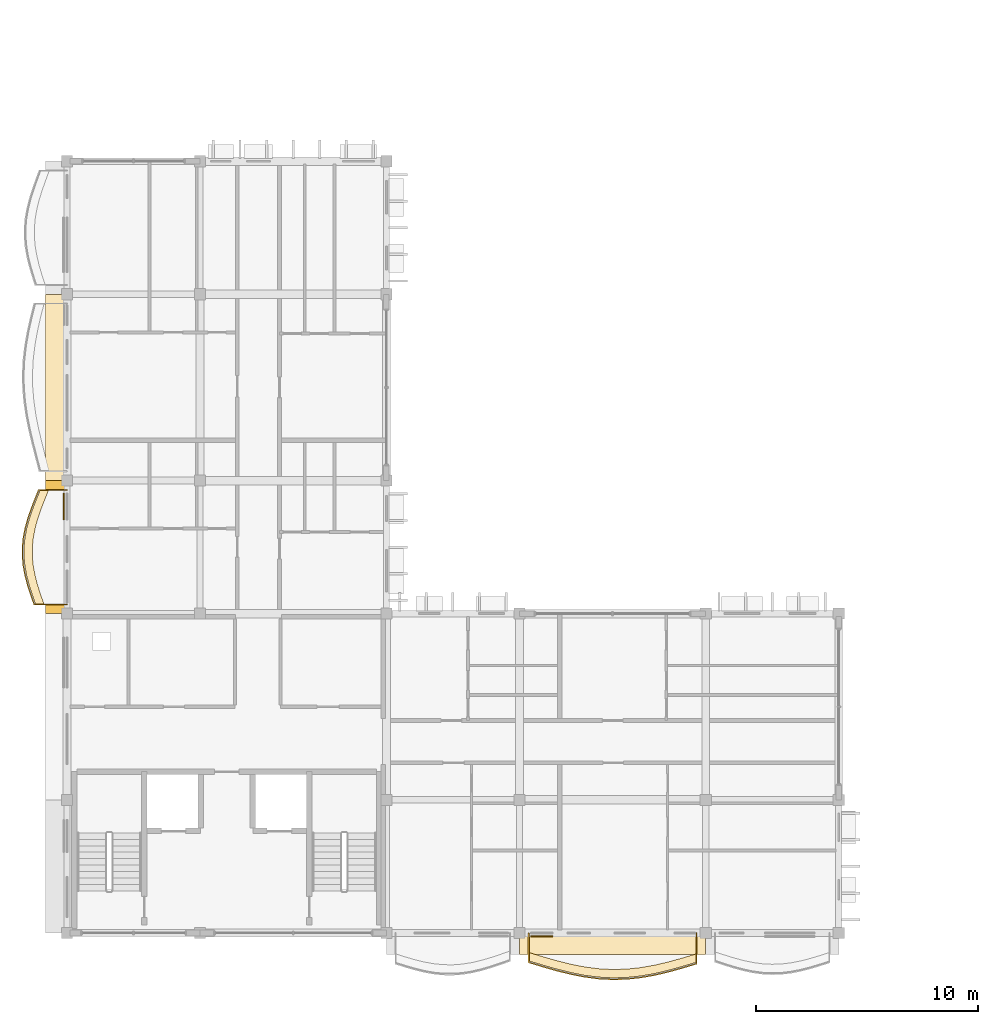
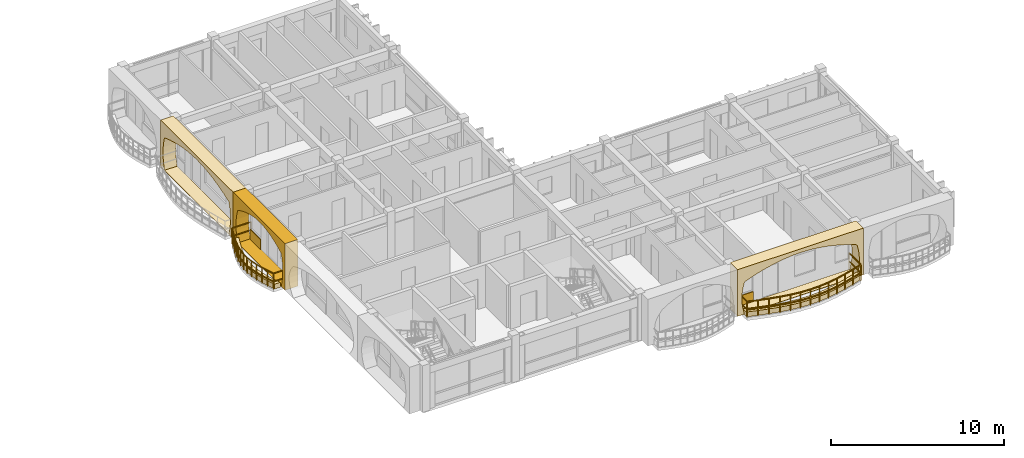
# One storey, part 39 of 54: 7 coverings, 2 railings.
"""IFC4 building model written with IfcOpenShell, lengths in metres."""

from ifc_helpers import new_model, si_unit, direction, frame, origin, origin_2d, place, context, subcontext, project, spatial, polyline, rectangle, outline, extrude, material, layer, layer_set, type_object, element, save


model = new_model("IFC4")

# Units and contexts
model_context = context("Model", 3, precision=1e-05, world=origin(), true_north=direction((0.0, 1.0)))
body_context = subcontext(model_context, "Body", "Model", "MODEL_VIEW")
ifc_project = project(units=[si_unit("LENGTHUNIT", "METRE"), si_unit("AREAUNIT", "SQUARE_METRE"), si_unit("VOLUMEUNIT", "CUBIC_METRE"), si_unit("PLANEANGLEUNIT", "RADIAN"), si_unit("MASSUNIT", "GRAM", prefix="KILO"), si_unit("THERMODYNAMICTEMPERATUREUNIT", "KELVIN")], contexts=[model_context])

# Site, building, storey
site_placement = place(None, origin())
site = spatial("IfcSite", under=ifc_project, at=site_placement, CompositionType="ELEMENT")
building_placement = place(site_placement, origin())
building = spatial("IfcBuilding", under=site, at=building_placement, Name="Thalorik Housing Commons", CompositionType="ELEMENT")
storey_placement = place(building_placement, frame((0.0, 0.0, 31.199951171875)))
storey = spatial("IfcBuildingStorey", under=building, at=storey_placement, Name="L09", CompositionType="ELEMENT", Elevation=31.199951171875)

# Coverings
ifc_material_1 = material(Name="Cobalt blue glazed ceramic facade tile panel", Category="masonry")
ifc_layer_1 = layer(ifc_material_1, 0.06005859375, Name="Cobalt blue glazed ceramic facade tile panel", Category="masonry")
ifc_layer_set_1 = layer_set([ifc_layer_1], Name="Cobalt blue glazed ceramic facade tile panel")
covering_type_1 = type_object("IfcCoveringType", Name="ARC-CLD-BLU-60", PredefinedType="CLADDING", material=ifc_layer_set_1)
covering_1_placement = place(storey_placement, frame((8.25244140625, 27.625, 0.05029296875), z_axis=(0.0, 0.0, 1.0), x_axis=(0.0, -1.0, 0.0)))
element("IfcCovering", 1, at=covering_1_placement, inside=storey, type_object=covering_type_1, Name="L09 De Stijl Recessed Window Spandrel 4383", PredefinedType="CLADDING", context=body_context, shape_type="SweptSolid", body=[
    extrude(rectangle(XDim=1.199951171875, YDim=0.06005859375, at=origin_2d()), origin(), (0.0, 0.0, 1.0), 0.699951171875),
])
covering_2_placement = place(storey_placement, frame((29.804931640625, 8.25244140625, 0.05029296875), z_axis=(0.0, 0.0, 1.0), x_axis=(1.0, 0.0, 0.0)))
element("IfcCovering", 2, at=covering_2_placement, inside=storey, type_object=covering_type_1, Name="L09 De Stijl Recessed Window Spandrel 4391", PredefinedType="CLADDING", context=body_context, shape_type="SweptSolid", body=[
    extrude(rectangle(XDim=1.0, YDim=0.06005859375, at=origin_2d()), origin(), (0.0, 0.0, 1.0), 0.699951171875),
])
ifc_material_2 = material(Name="Precast concrete C40/50", Category="concrete")
ifc_layer_2 = layer(ifc_material_2, 0.85009765625, Name="Precast concrete C40/50", Category="concrete")
ifc_layer_set_2 = layer_set([ifc_layer_2], Name="Precast concrete C40/50")
covering_type_2 = type_object("IfcCoveringType", Name="ARC-CLD-CUSH-850", PredefinedType="CLADDING", material=ifc_layer_set_2)
covering_3_placement = place(storey_placement, frame((7.862548828125, 33.0, 0.0), z_axis=(0.0, 0.0, 1.0), x_axis=(0.0, -1.0, 0.0)))
element("IfcCovering", 3, at=covering_3_placement, inside=storey, type_object=covering_type_2, Name="L09 White Precast Curved Cushion Bay Frame 4380", PredefinedType="CLADDING", context=body_context, shape_type="SweptSolid", body=[
    extrude(outline(polyline([(-4.199951171875, 0.0), (4.199951171875, 0.0), (4.199951171875, 3.300048828125), (-4.199951171875, 3.300048828125), (-4.199951171875, 0.0)]), holes=[polyline([(3.695068359375, 0.02490234375), (3.801513671875, 0.407470703125), (3.865478515625, 0.7900390625), (3.886962890625, 1.172607421875), (3.865478515625, 1.554931640625), (3.801513671875, 1.9375), (3.695068359375, 2.320068359375), (3.074951171875, 2.539306640625), (2.455078125, 2.711181640625), (1.8349609375, 2.8505859375), (1.215087890625, 2.954345703125), (0.594970703125, 3.018310546875), (-0.02490234375, 3.0400390625), (-0.64501953125, 3.018310546875), (-1.264892578125, 2.954345703125), (-1.885009765625, 2.8505859375), (-2.5048828125, 2.711181640625), (-3.125, 2.539306640625), (-3.7451171875, 2.320068359375), (-3.841064453125, 1.9375), (-3.898681640625, 1.554931640625), (-3.91796875, 1.172607421875), (-3.898681640625, 0.7900390625), (-3.841064453125, 0.407470703125), (-3.7451171875, 0.02490234375), (3.695068359375, 0.02490234375)])]), frame((0.0, 0.425048828125, 0.0), z_axis=(0.0, -1.0, 0.0), x_axis=(1.0, 0.0, 0.0)), (0.0, 0.0, 1.0), 0.85009765625),
])
covering_4_placement = place(storey_placement, frame((7.862548828125, 25.800048828125, 0.0), z_axis=(0.0, 0.0, 1.0), x_axis=(0.0, -1.0, 0.0)))
element("IfcCovering", 4, at=covering_4_placement, inside=storey, type_object=covering_type_2, Name="L09 White Precast Curved Cushion Bay Frame 4382", PredefinedType="CLADDING", context=body_context, shape_type="SweptSolid", body=[
    extrude(outline(polyline([(-3.0, 0.0), (3.0, 0.0), (3.0, 3.300048828125), (-3.0, 3.300048828125), (-3.0, 0.0)]), holes=[polyline([(2.56494140625, 0.02490234375), (2.65673828125, 0.410888671875), (2.7119140625, 0.796630859375), (2.730224609375, 1.1826171875), (2.7119140625, 1.568359375), (2.65673828125, 1.9541015625), (2.56494140625, 2.340087890625), (2.14501953125, 2.552978515625), (1.72509765625, 2.720458984375), (1.304931640625, 2.85595703125), (0.885009765625, 2.956787109375), (0.465087890625, 3.01904296875), (0.044921875, 3.0400390625), (-0.375, 3.01904296875), (-0.794921875, 2.956787109375), (-1.215087890625, 2.85595703125), (-1.635009765625, 2.720458984375), (-2.054931640625, 2.552978515625), (-2.47509765625, 2.340087890625), (-2.585693359375, 1.9541015625), (-2.65234375, 1.568359375), (-2.674560546875, 1.1826171875), (-2.65234375, 0.796630859375), (-2.585693359375, 0.410888671875), (-2.47509765625, 0.02490234375), (2.56494140625, 0.02490234375)])]), frame((0.0, 0.425048828125, 0.0), z_axis=(0.0, -1.0, 0.0), x_axis=(1.0, 0.0, 0.0)), (0.0, 0.0, 1.0), 0.85009765625),
])
covering_5_placement = place(storey_placement, frame((33.0, 7.862548828125, 0.0), z_axis=(0.0, 0.0, 1.0), x_axis=(1.0, 0.0, 0.0)))
element("IfcCovering", 5, at=covering_5_placement, inside=storey, type_object=covering_type_2, Name="L09 White Precast Curved Cushion Bay Frame 4390", PredefinedType="CLADDING", context=body_context, shape_type="SweptSolid", body=[
    extrude(outline(polyline([(-4.199951171875, 0.0), (4.199951171875, 0.0), (4.199951171875, 3.300048828125), (-4.199951171875, 3.300048828125), (-4.199951171875, 0.0)]), holes=[polyline([(3.77001953125, 0.02490234375), (3.86083984375, 0.399169921875), (3.915283203125, 0.773193359375), (3.933349609375, 1.1474609375), (3.915283203125, 1.521728515625), (3.86083984375, 1.895751953125), (3.77001953125, 2.27001953125), (3.143798828125, 2.50439453125), (2.517578125, 2.6884765625), (1.89111328125, 2.837646484375), (1.264892578125, 2.948486328125), (0.638671875, 3.016845703125), (0.012451171875, 3.0400390625), (-0.61376953125, 3.016845703125), (-1.239990234375, 2.948486328125), (-1.8662109375, 2.837646484375), (-2.492431640625, 2.6884765625), (-3.11865234375, 2.50439453125), (-3.7451171875, 2.27001953125), (-3.841064453125, 1.895751953125), (-3.898681640625, 1.521728515625), (-3.91796875, 1.1474609375), (-3.898681640625, 0.773193359375), (-3.841064453125, 0.399169921875), (-3.7451171875, 0.02490234375), (3.77001953125, 0.02490234375)])]), frame((0.0, 0.425048828125, 0.0), z_axis=(0.0, -1.0, 0.0), x_axis=(1.0, 0.0, 0.0)), (0.0, 0.0, 1.0), 0.85009765625),
])
ifc_material_3 = material(Name="Planted vegetated substrate and terracotta trough", Category="masonry")
ifc_layer_3 = layer(ifc_material_3, 0.340087890625, Name="Planted vegetated substrate and terracotta trough", Category="masonry")
ifc_layer_set_3 = layer_set([ifc_layer_3], Name="Planted vegetated substrate and terracotta trough")
covering_type_3 = type_object("IfcCoveringType", Name="ARC-COV-PLANTER", PredefinedType="USERDEFINED", material=ifc_layer_set_3)
covering_6_placement = place(storey_placement, origin())
element("IfcCovering", 6, at=covering_6_placement, inside=storey, type_object=covering_type_3, Name="L09 Balcony Slab-Edge Planted Trough 5633", ObjectType="PLANTER", PredefinedType="USERDEFINED", context=body_context, shape_type="SweptSolid", body=[
    extrude(outline(polyline([(7.19140625, 28.3798828125), (7.01708984375, 27.949951171875), (6.850830078125, 27.52001953125), (6.70361328125, 27.090087890625), (6.58447265625, 26.659912109375), (6.5009765625, 26.22998046875), (6.458251953125, 25.800048828125), (6.458251953125, 25.3701171875), (6.500244140625, 24.93994140625), (6.580810546875, 24.510009765625), (6.694091796875, 24.080078125), (6.831787109375, 23.64990234375), (6.98388671875, 23.219970703125), (7.364013671875, 23.219970703125), (7.211669921875, 23.64990234375), (7.07421875, 24.080078125), (6.9609375, 24.510009765625), (6.880126953125, 24.93994140625), (6.838134765625, 25.3701171875), (6.838134765625, 25.800048828125), (6.881103515625, 26.22998046875), (6.964599609375, 26.659912109375), (7.08349609375, 27.090087890625), (7.23095703125, 27.52001953125), (7.397216796875, 27.949951171875), (7.571533203125, 28.3798828125), (7.19140625, 28.3798828125)])), origin(), (0.0, 0.0, 1.0), 0.340087890625),
])
covering_7_placement = place(storey_placement, origin())
element("IfcCovering", 7, at=covering_7_placement, inside=storey, type_object=covering_type_3, Name="L09 Balcony Slab-Edge Planted Trough 5637", ObjectType="PLANTER", PredefinedType="USERDEFINED", context=body_context, shape_type="SweptSolid", body=[
    extrude(outline(polyline([(29.219970703125, 7.140625), (29.85009765625, 6.950439453125), (30.47998046875, 6.770263671875), (31.110107421875, 6.61279296875), (31.739990234375, 6.489013671875), (32.3701171875, 6.40771484375), (33.0, 6.3740234375), (33.6298828125, 6.390869140625), (34.260009765625, 6.456787109375), (34.889892578125, 6.567626953125), (35.52001953125, 6.71533203125), (36.14990234375, 6.889892578125), (36.780029296875, 7.079345703125), (36.780029296875, 7.459228515625), (36.14990234375, 7.27001953125), (35.52001953125, 7.095458984375), (34.889892578125, 6.947509765625), (34.260009765625, 6.8369140625), (33.6298828125, 6.77099609375), (33.0, 6.754150390625), (32.3701171875, 6.78759765625), (31.739990234375, 6.869140625), (31.110107421875, 6.992919921875), (30.47998046875, 7.150390625), (29.85009765625, 7.330322265625), (29.219970703125, 7.520751953125), (29.219970703125, 7.140625)])), origin(), (0.0, 0.0, 1.0), 0.340087890625),
])

# Railings
ifc_material_4 = material(Name="Steel S355", Category="steel")
railing_type = type_object("IfcRailingType", Name="ARC-RL-BAL-115", PredefinedType="BALUSTRADE", material=ifc_material_4)
railing_1_placement = place(storey_placement, frame((8.39990234375, 28.3798828125, 0.0)))
element("IfcRailing", 8, at=railing_1_placement, inside=storey, type_object=railing_type, Name="L09 Cushion Balcony Guardrail 317", PredefinedType="BALUSTRADE", context=body_context, shape_type="SweptSolid", body=[
    extrude(rectangle(XDim=0.050048828125, YDim=0.050048828125, at=origin_2d()), frame((0.0, 0.0, 1.125), z_axis=(-1.0, 0.0, 0.0), x_axis=(0.0, -1.0, 0.0)), (0.0, 0.0, 1.0), 1.2783203125),
    extrude(rectangle(XDim=0.050048828125, YDim=0.050048828125, at=origin_2d()), frame((0.0, 0.0, 0.5498046875), z_axis=(-1.0, 0.0, 0.0), x_axis=(0.0, -1.0, 0.0)), (0.0, 0.0, 1.0), 1.2783203125),
    extrude(rectangle(XDim=0.050048828125, YDim=0.050048828125, at=origin_2d()), frame((-1.2783203125, 0.0, 1.125), z_axis=(-0.376193572468, -0.926541092469, 0.0), x_axis=(0.926541092469, -0.376193572468, 0.0)), (0.0, 0.0, 1.0), 0.464111328125),
    extrude(rectangle(XDim=0.050048828125, YDim=0.050048828125, at=origin_2d()), frame((-1.2783203125, 0.0, 0.5498046875), z_axis=(-0.376193572468, -0.926541092469, 0.0), x_axis=(0.926541092469, -0.376193572468, 0.0)), (0.0, 0.0, 1.0), 0.464111328125),
    extrude(rectangle(XDim=0.050048828125, YDim=0.050048828125, at=origin_2d()), frame((-1.452880859375, -0.429931640625, 1.125), z_axis=(-0.360221185756, -0.9328669237, 0.0), x_axis=(0.9328669237, -0.360221185756, 0.0)), (0.0, 0.0, 1.0), 0.4609375),
    extrude(rectangle(XDim=0.050048828125, YDim=0.050048828125, at=origin_2d()), frame((-1.452880859375, -0.429931640625, 0.5498046875), z_axis=(-0.360221185756, -0.9328669237, 0.0), x_axis=(0.9328669237, -0.360221185756, 0.0)), (0.0, 0.0, 1.0), 0.4609375),
    extrude(rectangle(XDim=0.050048828125, YDim=0.050048828125, at=origin_2d()), frame((-1.618896484375, -0.85986328125, 1.125), z_axis=(-0.324434183315, -0.945908272877, 0.0), x_axis=(0.945908272877, -0.324434183315, 0.0)), (0.0, 0.0, 1.0), 0.45458984375),
    extrude(rectangle(XDim=0.050048828125, YDim=0.050048828125, at=origin_2d()), frame((-1.618896484375, -0.85986328125, 0.5498046875), z_axis=(-0.324434183315, -0.945908272877, 0.0), x_axis=(0.945908272877, -0.324434183315, 0.0)), (0.0, 0.0, 1.0), 0.45458984375),
    extrude(rectangle(XDim=0.050048828125, YDim=0.050048828125, at=origin_2d()), frame((-1.766357421875, -1.289794921875, 1.125), z_axis=(-0.26691034385, -0.963721364475, 0.0), x_axis=(0.963721364475, -0.26691034385, 0.0)), (0.0, 0.0, 1.0), 0.4462890625),
    extrude(rectangle(XDim=0.050048828125, YDim=0.050048828125, at=origin_2d()), frame((-1.766357421875, -1.289794921875, 0.5498046875), z_axis=(-0.26691034385, -0.963721364475, 0.0), x_axis=(0.963721364475, -0.26691034385, 0.0)), (0.0, 0.0, 1.0), 0.4462890625),
    extrude(rectangle(XDim=0.050048828125, YDim=0.050048828125, at=origin_2d()), frame((-1.885498046875, -1.719970703125, 1.125), z_axis=(-0.190645847629, -0.981658882088, 0.0), x_axis=(0.981658882088, -0.190645847629, 0.0)), (0.0, 0.0, 1.0), 0.43798828125),
    extrude(rectangle(XDim=0.050048828125, YDim=0.050048828125, at=origin_2d()), frame((-1.885498046875, -1.719970703125, 0.5498046875), z_axis=(-0.190645847629, -0.981658882088, 0.0), x_axis=(0.981658882088, -0.190645847629, 0.0)), (0.0, 0.0, 1.0), 0.43798828125),
    extrude(rectangle(XDim=0.050048828125, YDim=0.050048828125, at=origin_2d()), frame((-1.968994140625, -2.14990234375, 1.125), z_axis=(-0.098888270863, -0.995098542801, 0.0), x_axis=(0.995098542801, -0.098888270863, 0.0)), (0.0, 0.0, 1.0), 0.43212890625),
    extrude(rectangle(XDim=0.050048828125, YDim=0.050048828125, at=origin_2d()), frame((-1.968994140625, -2.14990234375, 0.5498046875), z_axis=(-0.098888270863, -0.995098542801, 0.0), x_axis=(0.995098542801, -0.098888270863, 0.0)), (0.0, 0.0, 1.0), 0.43212890625),
    extrude(rectangle(XDim=0.050048828125, YDim=0.050048828125, at=origin_2d()), frame((-2.01171875, -2.579833984375, 1.125), z_axis=(0.0, -1.0, 0.0), x_axis=(1.0, 0.0, 0.0)), (0.0, 0.0, 1.0), 0.429931640625),
    extrude(rectangle(XDim=0.050048828125, YDim=0.050048828125, at=origin_2d()), frame((-2.01171875, -2.579833984375, 0.5498046875), z_axis=(0.0, -1.0, 0.0), x_axis=(1.0, 0.0, 0.0)), (0.0, 0.0, 1.0), 0.429931640625),
    extrude(rectangle(XDim=0.050048828125, YDim=0.050048828125, at=origin_2d()), frame((-2.01171875, -3.009765625, 1.125), z_axis=(0.09715455208, -0.995269306776, 0.0), x_axis=(0.995269306776, 0.09715455208, 0.0)), (0.0, 0.0, 1.0), 0.43212890625),
    extrude(rectangle(XDim=0.050048828125, YDim=0.050048828125, at=origin_2d()), frame((-2.01171875, -3.009765625, 0.5498046875), z_axis=(0.09715455208, -0.995269306776, 0.0), x_axis=(0.995269306776, 0.09715455208, 0.0)), (0.0, 0.0, 1.0), 0.43212890625),
    extrude(rectangle(XDim=0.050048828125, YDim=0.050048828125, at=origin_2d()), frame((-1.9697265625, -3.43994140625, 1.125), z_axis=(0.184726561835, -0.982789955867, 0.0), x_axis=(0.982789955867, 0.184726561835, 0.0)), (0.0, 0.0, 1.0), 0.4375),
    extrude(rectangle(XDim=0.050048828125, YDim=0.050048828125, at=origin_2d()), frame((-1.9697265625, -3.43994140625, 0.5498046875), z_axis=(0.184726561835, -0.982789955867, 0.0), x_axis=(0.982789955867, 0.184726561835, 0.0)), (0.0, 0.0, 1.0), 0.4375),
    extrude(rectangle(XDim=0.050048828125, YDim=0.050048828125, at=origin_2d()), frame((-1.888916015625, -3.869873046875, 1.125), z_axis=(0.254277029817, -0.967131424423, 0.0), x_axis=(0.967131424423, 0.254277029817, 0.0)), (0.0, 0.0, 1.0), 0.444580078125),
    extrude(rectangle(XDim=0.050048828125, YDim=0.050048828125, at=origin_2d()), frame((-1.888916015625, -3.869873046875, 0.5498046875), z_axis=(0.254277029817, -0.967131424423, 0.0), x_axis=(0.967131424423, 0.254277029817, 0.0)), (0.0, 0.0, 1.0), 0.444580078125),
    extrude(rectangle(XDim=0.050048828125, YDim=0.050048828125, at=origin_2d()), frame((-1.77587890625, -4.2998046875, 1.125), z_axis=(0.304854176228, -0.952399039918, 0.0), x_axis=(0.952399039918, 0.304854176228, 0.0)), (0.0, 0.0, 1.0), 0.45166015625),
    extrude(rectangle(XDim=0.050048828125, YDim=0.050048828125, at=origin_2d()), frame((-1.77587890625, -4.2998046875, 0.5498046875), z_axis=(0.304854176228, -0.952399039918, 0.0), x_axis=(0.952399039918, 0.304854176228, 0.0)), (0.0, 0.0, 1.0), 0.45166015625),
    extrude(rectangle(XDim=0.050048828125, YDim=0.050048828125, at=origin_2d()), frame((-1.63818359375, -4.72998046875, 1.125), z_axis=(0.333995761205, -0.942574576093, 0.0), x_axis=(0.942574576093, 0.333995761205, 0.0)), (0.0, 0.0, 1.0), 0.4560546875),
    extrude(rectangle(XDim=0.050048828125, YDim=0.050048828125, at=origin_2d()), frame((-1.63818359375, -4.72998046875, 0.5498046875), z_axis=(0.333995761205, -0.942574576093, 0.0), x_axis=(0.942574576093, 0.333995761205, 0.0)), (0.0, 0.0, 1.0), 0.4560546875),
    extrude(rectangle(XDim=0.050048828125, YDim=0.050048828125, at=origin_2d()), frame((-1.48583984375, -5.159912109375, 1.125), z_axis=(1.0, 0.0, 0.0), x_axis=(0.0, 1.0, 0.0)), (0.0, 0.0, 1.0), 1.48583984375),
    extrude(rectangle(XDim=0.050048828125, YDim=0.050048828125, at=origin_2d()), frame((-1.48583984375, -5.159912109375, 0.5498046875), z_axis=(1.0, 0.0, 0.0), x_axis=(0.0, 1.0, 0.0)), (0.0, 0.0, 1.0), 1.48583984375),
    extrude(rectangle(XDim=0.0419921875, YDim=0.0419921875, at=origin_2d()), origin(), (0.0, 0.0, 1.0), 1.099853515625),
    extrude(rectangle(XDim=0.0419921875, YDim=0.0419921875, at=origin_2d()), frame((-1.2783203125, 0.0, 0.0)), (0.0, 0.0, 1.0), 1.099853515625),
    extrude(rectangle(XDim=0.0419921875, YDim=0.0419921875, at=origin_2d()), frame((-1.452880859375, -0.429931640625, 0.0)), (0.0, 0.0, 1.0), 1.099853515625),
    extrude(rectangle(XDim=0.0419921875, YDim=0.0419921875, at=origin_2d()), frame((-1.618896484375, -0.85986328125, 0.0)), (0.0, 0.0, 1.0), 1.099853515625),
    extrude(rectangle(XDim=0.0419921875, YDim=0.0419921875, at=origin_2d()), frame((-1.766357421875, -1.289794921875, 0.0)), (0.0, 0.0, 1.0), 1.099853515625),
    extrude(rectangle(XDim=0.0419921875, YDim=0.0419921875, at=origin_2d()), frame((-1.885498046875, -1.719970703125, 0.0)), (0.0, 0.0, 1.0), 1.099853515625),
    extrude(rectangle(XDim=0.0419921875, YDim=0.0419921875, at=origin_2d()), frame((-1.968994140625, -2.14990234375, 0.0)), (0.0, 0.0, 1.0), 1.099853515625),
    extrude(rectangle(XDim=0.0419921875, YDim=0.0419921875, at=origin_2d()), frame((-2.01171875, -2.579833984375, 0.0)), (0.0, 0.0, 1.0), 1.099853515625),
    extrude(rectangle(XDim=0.0419921875, YDim=0.0419921875, at=origin_2d()), frame((-2.01171875, -3.009765625, 0.0)), (0.0, 0.0, 1.0), 1.099853515625),
    extrude(rectangle(XDim=0.0419921875, YDim=0.0419921875, at=origin_2d()), frame((-1.9697265625, -3.43994140625, 0.0)), (0.0, 0.0, 1.0), 1.099853515625),
    extrude(rectangle(XDim=0.0419921875, YDim=0.0419921875, at=origin_2d()), frame((-1.888916015625, -3.869873046875, 0.0)), (0.0, 0.0, 1.0), 1.099853515625),
    extrude(rectangle(XDim=0.0419921875, YDim=0.0419921875, at=origin_2d()), frame((-1.77587890625, -4.2998046875, 0.0)), (0.0, 0.0, 1.0), 1.099853515625),
    extrude(rectangle(XDim=0.0419921875, YDim=0.0419921875, at=origin_2d()), frame((-1.63818359375, -4.72998046875, 0.0)), (0.0, 0.0, 1.0), 1.099853515625),
    extrude(rectangle(XDim=0.0419921875, YDim=0.0419921875, at=origin_2d()), frame((-1.48583984375, -5.159912109375, 0.0)), (0.0, 0.0, 1.0), 1.099853515625),
    extrude(rectangle(XDim=0.0419921875, YDim=0.0419921875, at=origin_2d()), frame((0.0, -5.159912109375, 0.0)), (0.0, 0.0, 1.0), 1.099853515625),
])
railing_2_placement = place(storey_placement, frame((29.219970703125, 8.39990234375, 0.0)))
element("IfcRailing", 9, at=railing_2_placement, inside=storey, type_object=railing_type, Name="L09 Cushion Balcony Guardrail 321", PredefinedType="BALUSTRADE", context=body_context, shape_type="SweptSolid", body=[
    extrude(rectangle(XDim=0.050048828125, YDim=0.050048828125, at=origin_2d()), frame((0.0, 0.0, 1.125), z_axis=(0.0, -1.0, 0.0), x_axis=(1.0, 0.0, 0.0)), (0.0, 0.0, 1.0), 1.3291015625),
    extrude(rectangle(XDim=0.050048828125, YDim=0.050048828125, at=origin_2d()), frame((0.0, 0.0, 0.5498046875), z_axis=(0.0, -1.0, 0.0), x_axis=(1.0, 0.0, 0.0)), (0.0, 0.0, 1.0), 1.3291015625),
    extrude(rectangle(XDim=0.050048828125, YDim=0.050048828125, at=origin_2d()), frame((0.0, -1.3291015625, 1.125), z_axis=(0.957242481646, -0.289286763148, 0.0), x_axis=(0.289286763148, 0.957242481646, 0.0)), (0.0, 0.0, 1.0), 0.658203125),
    extrude(rectangle(XDim=0.050048828125, YDim=0.050048828125, at=origin_2d()), frame((0.0, -1.3291015625, 0.5498046875), z_axis=(0.957242481646, -0.289286763148, 0.0), x_axis=(0.289286763148, 0.957242481646, 0.0)), (0.0, 0.0, 1.0), 0.658203125),
    extrude(rectangle(XDim=0.050048828125, YDim=0.050048828125, at=origin_2d()), frame((0.630126953125, -1.51953125, 1.125), z_axis=(0.961439528486, -0.275016423265, 0.0), x_axis=(0.275016423265, 0.961439528486, 0.0)), (0.0, 0.0, 1.0), 0.655029296875),
    extrude(rectangle(XDim=0.050048828125, YDim=0.050048828125, at=origin_2d()), frame((0.630126953125, -1.51953125, 0.5498046875), z_axis=(0.961439528486, -0.275016423265, 0.0), x_axis=(0.275016423265, 0.961439528486, 0.0)), (0.0, 0.0, 1.0), 0.655029296875),
    extrude(rectangle(XDim=0.050048828125, YDim=0.050048828125, at=origin_2d()), frame((1.260009765625, -1.69970703125, 1.125), z_axis=(0.97016460712, -0.242447180005, 0.0), x_axis=(0.242447180005, 0.97016460712, 0.0)), (0.0, 0.0, 1.0), 0.6494140625),
    extrude(rectangle(XDim=0.050048828125, YDim=0.050048828125, at=origin_2d()), frame((1.260009765625, -1.69970703125, 0.5498046875), z_axis=(0.97016460712, -0.242447180005, 0.0), x_axis=(0.242447180005, 0.97016460712, 0.0)), (0.0, 0.0, 1.0), 0.6494140625),
    extrude(rectangle(XDim=0.050048828125, YDim=0.050048828125, at=origin_2d()), frame((1.89013671875, -1.857177734375, 1.125), z_axis=(0.981305299618, -0.19245755101, 0.0), x_axis=(0.19245755101, 0.981305299618, 0.0)), (0.0, 0.0, 1.0), 0.641845703125),
    extrude(rectangle(XDim=0.050048828125, YDim=0.050048828125, at=origin_2d()), frame((1.89013671875, -1.857177734375, 0.5498046875), z_axis=(0.981305299618, -0.19245755101, 0.0), x_axis=(0.19245755101, 0.981305299618, 0.0)), (0.0, 0.0, 1.0), 0.641845703125),
    extrude(rectangle(XDim=0.050048828125, YDim=0.050048828125, at=origin_2d()), frame((2.52001953125, -1.980712890625, 1.125), z_axis=(0.991730604581, -0.128337087148, 0.0), x_axis=(0.128337087148, 0.991730604581, 0.0)), (0.0, 0.0, 1.0), 0.635498046875),
    extrude(rectangle(XDim=0.050048828125, YDim=0.050048828125, at=origin_2d()), frame((2.52001953125, -1.980712890625, 0.5498046875), z_axis=(0.991730604581, -0.128337087148, 0.0), x_axis=(0.128337087148, 0.991730604581, 0.0)), (0.0, 0.0, 1.0), 0.635498046875),
    extrude(rectangle(XDim=0.050048828125, YDim=0.050048828125, at=origin_2d()), frame((3.150146484375, -2.062255859375, 1.125), z_axis=(0.998593128348, -0.053026069218, 0.0), x_axis=(0.053026069218, 0.998593128348, 0.0)), (0.0, 0.0, 1.0), 0.630859375),
    extrude(rectangle(XDim=0.050048828125, YDim=0.050048828125, at=origin_2d()), frame((3.150146484375, -2.062255859375, 0.5498046875), z_axis=(0.998593128348, -0.053026069218, 0.0), x_axis=(0.053026069218, 0.998593128348, 0.0)), (0.0, 0.0, 1.0), 0.630859375),
    extrude(rectangle(XDim=0.050048828125, YDim=0.050048828125, at=origin_2d()), frame((3.780029296875, -2.095703125, 1.125), z_axis=(0.999652845962, 0.026347439351, 0.0), x_axis=(-0.026347439351, 0.999652845962, 0.0)), (0.0, 0.0, 1.0), 0.630126953125),
    extrude(rectangle(XDim=0.050048828125, YDim=0.050048828125, at=origin_2d()), frame((3.780029296875, -2.095703125, 0.5498046875), z_axis=(0.999652845962, 0.026347439351, 0.0), x_axis=(-0.026347439351, 0.999652845962, 0.0)), (0.0, 0.0, 1.0), 0.630126953125),
    extrude(rectangle(XDim=0.050048828125, YDim=0.050048828125, at=origin_2d()), frame((4.409912109375, -2.0791015625, 1.125), z_axis=(0.994532866794, 0.104424024371, 0.0), x_axis=(-0.104424024371, 0.994532866794, 0.0)), (0.0, 0.0, 1.0), 0.633544921875),
    extrude(rectangle(XDim=0.050048828125, YDim=0.050048828125, at=origin_2d()), frame((4.409912109375, -2.0791015625, 0.5498046875), z_axis=(0.994532866794, 0.104424024371, 0.0), x_axis=(-0.104424024371, 0.994532866794, 0.0)), (0.0, 0.0, 1.0), 0.633544921875),
    extrude(rectangle(XDim=0.050048828125, YDim=0.050048828125, at=origin_2d()), frame((5.0400390625, -2.012939453125, 1.125), z_axis=(0.984933077013, 0.172935923987, 0.0), x_axis=(-0.172935923987, 0.984933077013, 0.0)), (0.0, 0.0, 1.0), 0.639404296875),
    extrude(rectangle(XDim=0.050048828125, YDim=0.050048828125, at=origin_2d()), frame((5.0400390625, -2.012939453125, 0.5498046875), z_axis=(0.984933077013, 0.172935923987, 0.0), x_axis=(-0.172935923987, 0.984933077013, 0.0)), (0.0, 0.0, 1.0), 0.639404296875),
    extrude(rectangle(XDim=0.050048828125, YDim=0.050048828125, at=origin_2d()), frame((5.669921875, -1.90234375, 1.125), z_axis=(0.973525886872, 0.228576787076, 0.0), x_axis=(-0.228576787076, 0.973525886872, 0.0)), (0.0, 0.0, 1.0), 0.647216796875),
    extrude(rectangle(XDim=0.050048828125, YDim=0.050048828125, at=origin_2d()), frame((5.669921875, -1.90234375, 0.5498046875), z_axis=(0.973525886872, 0.228576787076, 0.0), x_axis=(-0.228576787076, 0.973525886872, 0.0)), (0.0, 0.0, 1.0), 0.647216796875),
    extrude(rectangle(XDim=0.050048828125, YDim=0.050048828125, at=origin_2d()), frame((6.300048828125, -1.75439453125, 1.125), z_axis=(0.963678274429, 0.267065878379, 0.0), x_axis=(-0.267065878379, 0.963678274429, 0.0)), (0.0, 0.0, 1.0), 0.653564453125),
    extrude(rectangle(XDim=0.050048828125, YDim=0.050048828125, at=origin_2d()), frame((6.300048828125, -1.75439453125, 0.5498046875), z_axis=(0.963678274429, 0.267065878379, 0.0), x_axis=(-0.267065878379, 0.963678274429, 0.0)), (0.0, 0.0, 1.0), 0.653564453125),
    extrude(rectangle(XDim=0.050048828125, YDim=0.050048828125, at=origin_2d()), frame((6.929931640625, -1.579833984375, 1.125), z_axis=(0.957754763301, 0.287586184254, 0.0), x_axis=(-0.287586184254, 0.957754763301, 0.0)), (0.0, 0.0, 1.0), 0.657958984375),
    extrude(rectangle(XDim=0.050048828125, YDim=0.050048828125, at=origin_2d()), frame((6.929931640625, -1.579833984375, 0.5498046875), z_axis=(0.957754763301, 0.287586184254, 0.0), x_axis=(-0.287586184254, 0.957754763301, 0.0)), (0.0, 0.0, 1.0), 0.657958984375),
    extrude(rectangle(XDim=0.050048828125, YDim=0.050048828125, at=origin_2d()), frame((7.56005859375, -1.390625, 1.125), z_axis=(0.0, 1.0, 0.0), x_axis=(-1.0, 0.0, 0.0)), (0.0, 0.0, 1.0), 1.390625),
    extrude(rectangle(XDim=0.050048828125, YDim=0.050048828125, at=origin_2d()), frame((7.56005859375, -1.390625, 0.5498046875), z_axis=(0.0, 1.0, 0.0), x_axis=(-1.0, 0.0, 0.0)), (0.0, 0.0, 1.0), 1.390625),
    extrude(rectangle(XDim=0.0419921875, YDim=0.0419921875, at=origin_2d()), origin(), (0.0, 0.0, 1.0), 1.099853515625),
    extrude(rectangle(XDim=0.0419921875, YDim=0.0419921875, at=origin_2d()), frame((0.0, -1.3291015625, 0.0)), (0.0, 0.0, 1.0), 1.099853515625),
    extrude(rectangle(XDim=0.0419921875, YDim=0.0419921875, at=origin_2d()), frame((0.630126953125, -1.51953125, 0.0)), (0.0, 0.0, 1.0), 1.099853515625),
    extrude(rectangle(XDim=0.0419921875, YDim=0.0419921875, at=origin_2d()), frame((1.260009765625, -1.69970703125, 0.0)), (0.0, 0.0, 1.0), 1.099853515625),
    extrude(rectangle(XDim=0.0419921875, YDim=0.0419921875, at=origin_2d()), frame((1.89013671875, -1.857177734375, 0.0)), (0.0, 0.0, 1.0), 1.099853515625),
    extrude(rectangle(XDim=0.0419921875, YDim=0.0419921875, at=origin_2d()), frame((2.52001953125, -1.980712890625, 0.0)), (0.0, 0.0, 1.0), 1.099853515625),
    extrude(rectangle(XDim=0.0419921875, YDim=0.0419921875, at=origin_2d()), frame((3.150146484375, -2.062255859375, 0.0)), (0.0, 0.0, 1.0), 1.099853515625),
    extrude(rectangle(XDim=0.0419921875, YDim=0.0419921875, at=origin_2d()), frame((3.780029296875, -2.095703125, 0.0)), (0.0, 0.0, 1.0), 1.099853515625),
    extrude(rectangle(XDim=0.0419921875, YDim=0.0419921875, at=origin_2d()), frame((4.409912109375, -2.0791015625, 0.0)), (0.0, 0.0, 1.0), 1.099853515625),
    extrude(rectangle(XDim=0.0419921875, YDim=0.0419921875, at=origin_2d()), frame((5.0400390625, -2.012939453125, 0.0)), (0.0, 0.0, 1.0), 1.099853515625),
    extrude(rectangle(XDim=0.0419921875, YDim=0.0419921875, at=origin_2d()), frame((5.669921875, -1.90234375, 0.0)), (0.0, 0.0, 1.0), 1.099853515625),
    extrude(rectangle(XDim=0.0419921875, YDim=0.0419921875, at=origin_2d()), frame((6.300048828125, -1.75439453125, 0.0)), (0.0, 0.0, 1.0), 1.099853515625),
    extrude(rectangle(XDim=0.0419921875, YDim=0.0419921875, at=origin_2d()), frame((6.929931640625, -1.579833984375, 0.0)), (0.0, 0.0, 1.0), 1.099853515625),
    extrude(rectangle(XDim=0.0419921875, YDim=0.0419921875, at=origin_2d()), frame((7.56005859375, -1.390625, 0.0)), (0.0, 0.0, 1.0), 1.099853515625),
    extrude(rectangle(XDim=0.0419921875, YDim=0.0419921875, at=origin_2d()), frame((7.56005859375, 0.0, 0.0)), (0.0, 0.0, 1.0), 1.099853515625),
])

save(model, "model.ifc")
